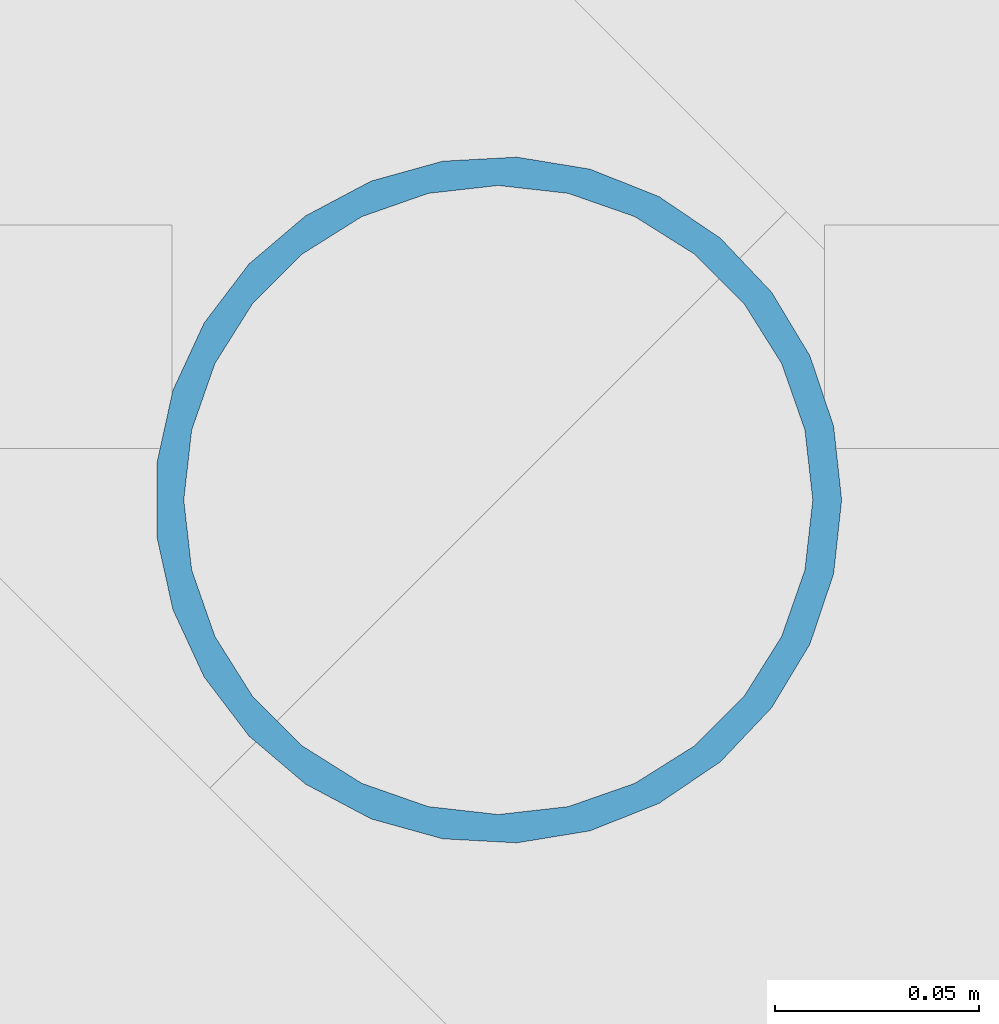
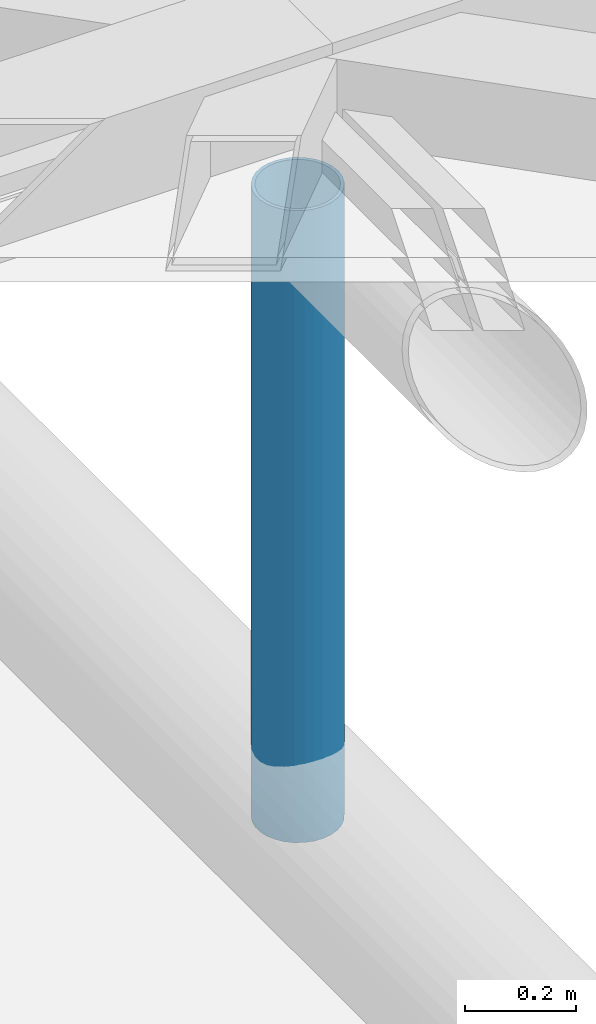
# One storey, part 12 of 80: 1 member.
"""IFC4 building model written with IfcOpenShell, lengths in metres."""

from ifc_helpers import new_model, si_unit, direction, frame, origin, origin_2d, place, context, subcontext, project, spatial, hollow_circle, extrude, material, material_profile, profile_set, type_object, element, save


model = new_model("IFC4")

# Units and contexts
model_context = context("Model", 3, precision=1e-05, world=origin(), true_north=direction((0.0, 1.0)))
body_context = subcontext(model_context, "Body", "Model", "MODEL_VIEW")
ifc_project = project(units=[si_unit("LENGTHUNIT", "METRE"), si_unit("AREAUNIT", "SQUARE_METRE"), si_unit("VOLUMEUNIT", "CUBIC_METRE"), si_unit("PLANEANGLEUNIT", "RADIAN"), si_unit("MASSUNIT", "GRAM", prefix="KILO"), si_unit("THERMODYNAMICTEMPERATUREUNIT", "KELVIN"), si_unit("POWERUNIT", "WATT")], contexts=[model_context])

# Site, building, storey
site_placement = place(None, origin())
site = spatial("IfcSite", under=ifc_project, at=site_placement, CompositionType="ELEMENT")
building_placement = place(site_placement, origin())
building = spatial("IfcBuilding", under=site, at=building_placement, Name="Tallowbark Science Centre", CompositionType="ELEMENT")
storey_placement = place(building_placement, frame((0.0, 0.0, 25.949951171875)))
storey = spatial("IfcBuildingStorey", under=building, at=storey_placement, Name="ROOF", CompositionType="ELEMENT", Elevation=25.949951171875)

# Member
ifc_material = material(Name="White Architectural Painted Steel Grade C350L0 (350 MPa)", Category="steel")
ifc_material_profile = material_profile(ifc_material, hollow_circle(Radius=0.084228515625, WallThickness=0.007080078125, at=origin_2d()), Name="168.3x7.1CHS")
ifc_profile_set = profile_set([ifc_material_profile], Name="White Architectural Painted Steel Grade C350L0 (350 MPa)")
member_type = type_object("IfcMemberType", Name="TR-WEB168", PredefinedType="BRACE", material=ifc_profile_set)
member_placement = place(storey_placement, frame((67.5, 22.5, -1.199951171875), z_axis=(0.0, 0.0, 1.0), x_axis=(1.0, 0.0, 0.0)))
element("IfcMember", 1, at=member_placement, inside=storey, type_object=member_type, Name="Exhibition Roof Truss Web 3-22.5", PredefinedType="BRACE", context=body_context, shape_type="SweptSolid", body=[
    extrude(hollow_circle(Radius=0.084228515625, WallThickness=0.007080078125, at=origin_2d()), origin(), (0.0, 0.0, 1.0), 1.389892578125),
])

save(model, "model.ifc")
